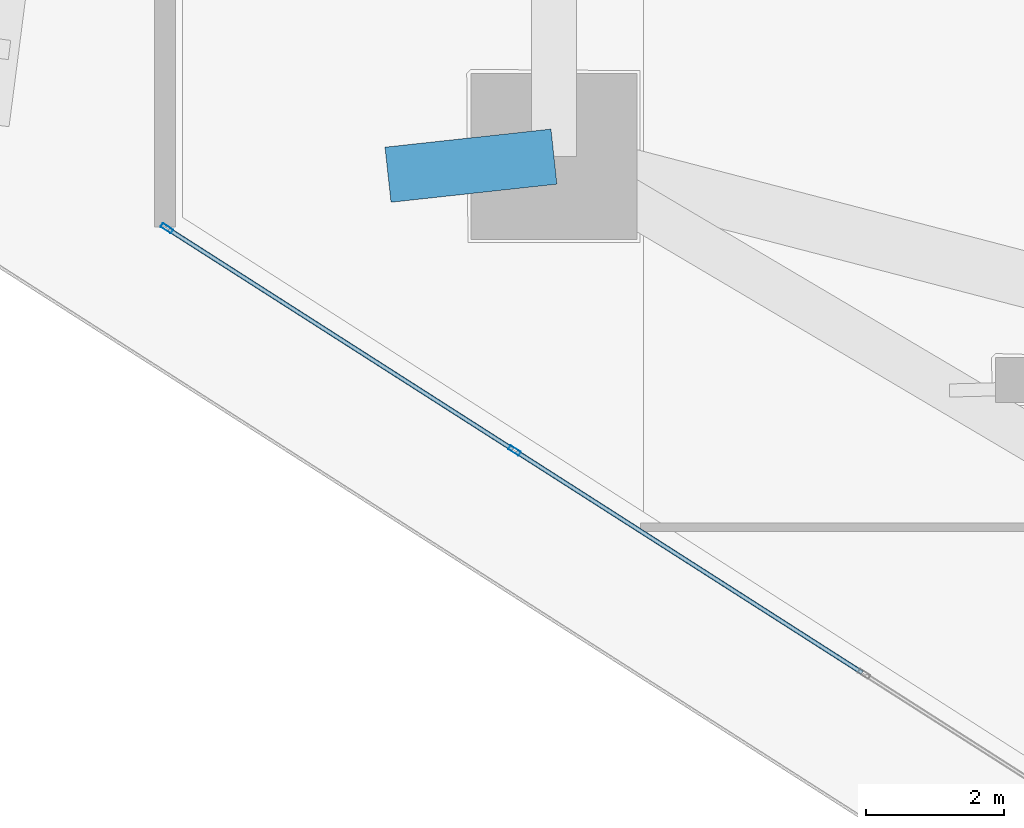
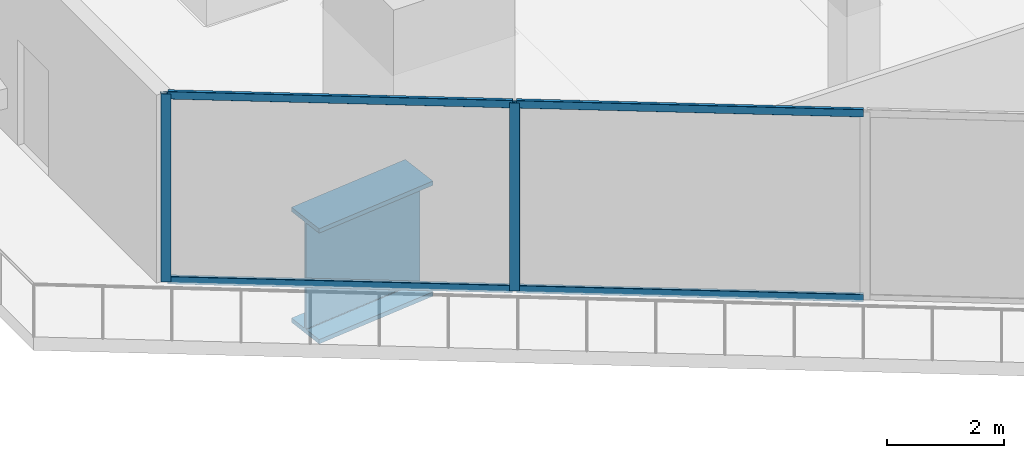
# One storey, part 4 of 42: 6 members, 1 beam, 1 element without a shape of its own.
"""IFC4 building model written with IfcOpenShell, lengths in metres."""

from ifc_helpers import new_model, si_unit, direction, frame, origin, origin_2d, place, context, subcontext, project, spatial, hollow_rectangle, i_section, extrude, material, layer, layer_set, material_profile, profile_set, type_object, element, aggregate, save


model = new_model("IFC4")

# Units and contexts
model_context = context("Model", 3, precision=1e-05, world=origin(), true_north=direction((0.0, 1.0)))
body_context = subcontext(model_context, "Body", "Model", "MODEL_VIEW")
ifc_project = project(units=[si_unit("LENGTHUNIT", "METRE"), si_unit("AREAUNIT", "SQUARE_METRE"), si_unit("VOLUMEUNIT", "CUBIC_METRE"), si_unit("PLANEANGLEUNIT", "RADIAN"), si_unit("MASSUNIT", "GRAM", prefix="KILO")], contexts=[model_context])

# Site, building, storey
site_placement = place(None, origin())
site = spatial("IfcSite", under=ifc_project, at=site_placement, CompositionType="ELEMENT")
building_placement = place(site_placement, origin())
building = spatial("IfcBuilding", under=site, at=building_placement, Name="Qorvath Tower", CompositionType="ELEMENT")
storey_placement = place(building_placement, frame((0.0, 0.0, 32.39990234375)))
storey = spatial("IfcBuildingStorey", under=building, at=storey_placement, Name="L06", CompositionType="ELEMENT", Elevation=32.39990234375)

# Beam
ifc_material_1 = material(Name="Steel ASTM A572 Grade 50", Category="steel")
ifc_material_profile_1 = material_profile(ifc_material_1, i_section(OverallWidth=0.800048828125, OverallDepth=2.39990234375, WebThickness=0.044921875, FlangeThickness=0.090087890625, FilletRadius=0.02490234375, at=origin_2d()), Name="WTG 2400x800")
ifc_profile_set_1 = profile_set([ifc_material_profile_1], Name="Steel ASTM A572 Grade 50")
beam_type = type_object("IfcBeamType", Name="BM-TG2", PredefinedType="BEAM", material=ifc_profile_set_1)
beam_placement = place(storey_placement, frame((-57.679931640625, -3.4560546875, -1.479736328125), z_axis=(0.994102772005, 0.108442052232, 0.0), x_axis=(-0.108442052232, 0.994102772005, 0.0)))
element("IfcBeam", 1, at=beam_placement, inside=storey, type_object=beam_type, Name="Zone Step Transfer Tie MC2 L06", PredefinedType="BEAM", context=body_context, shape_type="SweptSolid", body=[
    extrude(i_section(OverallWidth=0.800048828125, OverallDepth=2.39990234375, WebThickness=0.044921875, FlangeThickness=0.090087890625, FilletRadius=0.02490234375, at=origin_2d()), origin(), (0.0, 0.0, 1.0), 2.4111328125),
])

# Curtain wall, members
ifc_material_2 = material(Name="Anodised aluminium and triple low-E glass", Category="aluminium")
ifc_layer = layer(ifc_material_2, 0.179931640625)
ifc_layer_set = layer_set([ifc_layer], Name="CW-SYS-2")
curtain_wall_type = type_object("IfcCurtainWallType", Name="CW-SYS-2", PredefinedType="NOTDEFINED", material=ifc_layer_set)
curtain_wall_placement = place(storey_placement, origin())
curtain_wall = element("IfcCurtainWall", 2, at=curtain_wall_placement, inside=storey, type_object=curtain_wall_type, Name="Curtain Wall CW-2 CW-T-L06-2.1", PredefinedType="NOTDEFINED")
ifc_material_3 = material(Name="Anodised aluminium 6063-T6", Category="aluminium")
ifc_material_profile_2 = material_profile(ifc_material_3, hollow_rectangle(XDim=0.06494140625, YDim=0.179931640625, WallThickness=0.00341796875, InnerFilletRadius=0.00341796875, OuterFilletRadius=0.007080078125, at=origin_2d()), Name="CWM 180x65")
ifc_profile_set_2 = profile_set([ifc_material_profile_2], Name="Anodised aluminium 6063-T6")
member_type_1 = type_object("IfcMemberType", Name="CWM-180", PredefinedType="MULLION", material=ifc_profile_set_2)
member_1_placement = place(storey_placement, frame((-60.875, -4.22998046875, 0.0), z_axis=(0.0, 0.0, 1.0), x_axis=(0.538528741164, 0.84260714152, 0.0)))
member_1 = element("IfcMember", 3, at=member_1_placement, type_object=member_type_1, Name="CW-2 mullion 1", PredefinedType="MULLION", context=body_context, shape_type="SweptSolid", body=[
    extrude(hollow_rectangle(XDim=0.06494140625, YDim=0.179931640625, WallThickness=0.00341796875, InnerFilletRadius=0.00341796875, OuterFilletRadius=0.007080078125, at=origin_2d()), origin(), (0.0, 0.0, 1.0), 3.920166015625),
])
member_2_placement = place(storey_placement, frame((-55.852294921875, -7.43994140625, 0.0), z_axis=(0.0, 0.0, 1.0), x_axis=(0.538528741164, 0.84260714152, 0.0)))
member_2 = element("IfcMember", 4, at=member_2_placement, type_object=member_type_1, Name="CW-2 mullion 2", PredefinedType="MULLION", context=body_context, shape_type="SweptSolid", body=[
    extrude(hollow_rectangle(XDim=0.06494140625, YDim=0.179931640625, WallThickness=0.00341796875, InnerFilletRadius=0.00341796875, OuterFilletRadius=0.007080078125, at=origin_2d()), origin(), (0.0, 0.0, 1.0), 3.920166015625),
])
ifc_material_4 = material(Name="Anodised aluminium 6063-T6", Category="aluminium")
ifc_material_profile_3 = material_profile(ifc_material_4, hollow_rectangle(XDim=0.06494140625, YDim=0.159912109375, WallThickness=0.00341796875, InnerFilletRadius=0.00341796875, OuterFilletRadius=0.007080078125, at=origin_2d()), Name="CWT 160x65")
ifc_profile_set_3 = profile_set([ifc_material_profile_3], Name="Anodised aluminium 6063-T6")
member_type_2 = type_object("IfcMemberType", Name="CWT-160", PredefinedType="USERDEFINED", material=ifc_profile_set_3)
member_3_placement = place(storey_placement, frame((-60.847412109375, -4.247314453125, 0.032470703125), z_axis=(0.84260439745, -0.538533034639, 0.0), x_axis=(0.538533034639, 0.84260439745, 0.0)))
member_3 = element("IfcMember", 5, at=member_3_placement, type_object=member_type_2, Name="CW-2 transom 1.1", ObjectType="TRANSOM", PredefinedType="USERDEFINED", context=body_context, shape_type="SweptSolid", body=[
    extrude(hollow_rectangle(XDim=0.06494140625, YDim=0.159912109375, WallThickness=0.00341796875, InnerFilletRadius=0.00341796875, OuterFilletRadius=0.007080078125, at=origin_2d()), origin(), (0.0, 0.0, 1.0), 5.895751953125),
])
member_4_placement = place(storey_placement, frame((-60.847412109375, -4.247314453125, 3.8876953125), z_axis=(0.84260439745, -0.538533034639, 0.0), x_axis=(0.538533034639, 0.84260439745, 0.0)))
member_4 = element("IfcMember", 6, at=member_4_placement, type_object=member_type_2, Name="CW-2 transom 1.2", ObjectType="TRANSOM", PredefinedType="USERDEFINED", context=body_context, shape_type="SweptSolid", body=[
    extrude(hollow_rectangle(XDim=0.06494140625, YDim=0.159912109375, WallThickness=0.00341796875, InnerFilletRadius=0.00341796875, OuterFilletRadius=0.007080078125, at=origin_2d()), origin(), (0.0, 0.0, 1.0), 5.895751953125),
])
member_5_placement = place(storey_placement, frame((-55.824951171875, -7.45751953125, 0.032470703125), z_axis=(0.842615282309, -0.538516003494, 0.0), x_axis=(0.538516003494, 0.842615282309, 0.0)))
member_5 = element("IfcMember", 7, at=member_5_placement, type_object=member_type_2, Name="CW-2 transom 2.1", ObjectType="TRANSOM", PredefinedType="USERDEFINED", context=body_context, shape_type="SweptSolid", body=[
    extrude(hollow_rectangle(XDim=0.06494140625, YDim=0.159912109375, WallThickness=0.00341796875, InnerFilletRadius=0.00341796875, OuterFilletRadius=0.007080078125, at=origin_2d()), origin(), (0.0, 0.0, 1.0), 5.92822265625),
])
member_6_placement = place(storey_placement, frame((-55.824951171875, -7.45751953125, 3.8876953125), z_axis=(0.842615282309, -0.538516003494, 0.0), x_axis=(0.538516003494, 0.842615282309, 0.0)))
member_6 = element("IfcMember", 8, at=member_6_placement, type_object=member_type_2, Name="CW-2 transom 2.2", ObjectType="TRANSOM", PredefinedType="USERDEFINED", context=body_context, shape_type="SweptSolid", body=[
    extrude(hollow_rectangle(XDim=0.06494140625, YDim=0.159912109375, WallThickness=0.00341796875, InnerFilletRadius=0.00341796875, OuterFilletRadius=0.007080078125, at=origin_2d()), origin(), (0.0, 0.0, 1.0), 5.92822265625),
])
aggregate(curtain_wall, [member_1, member_2, member_3, member_4, member_5, member_6])

save(model, "model.ifc")
